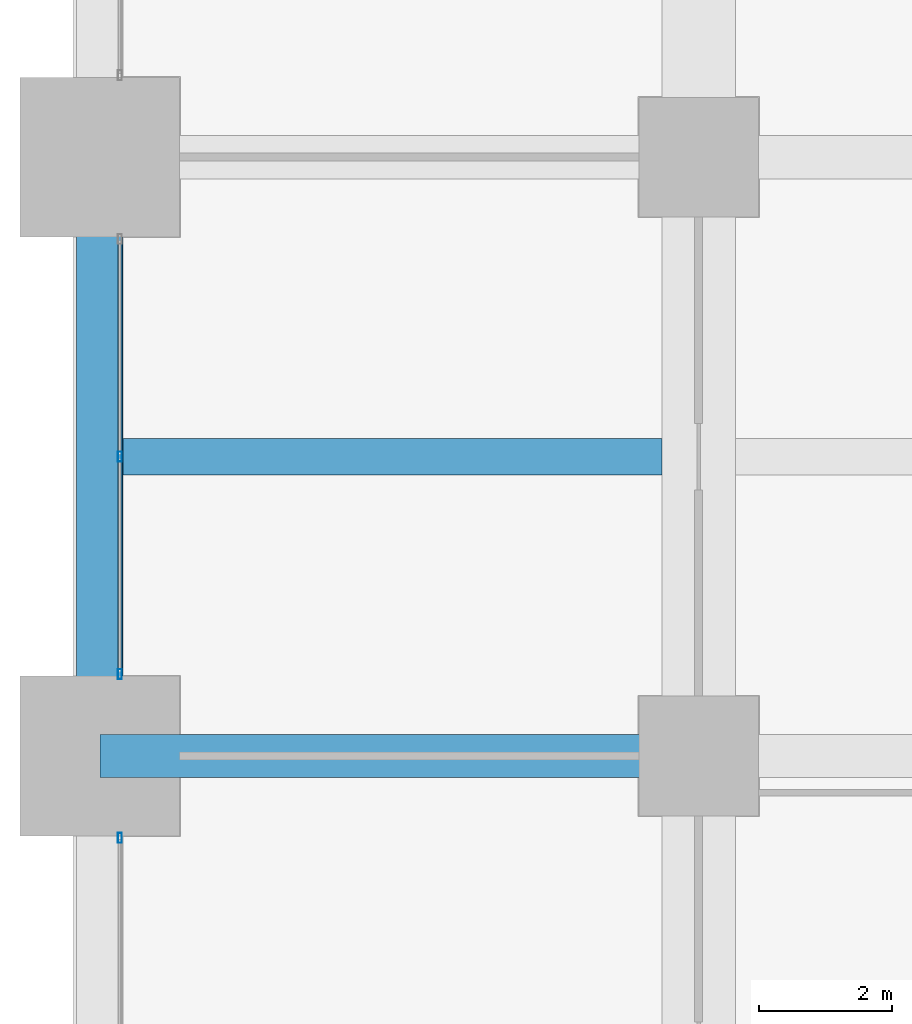
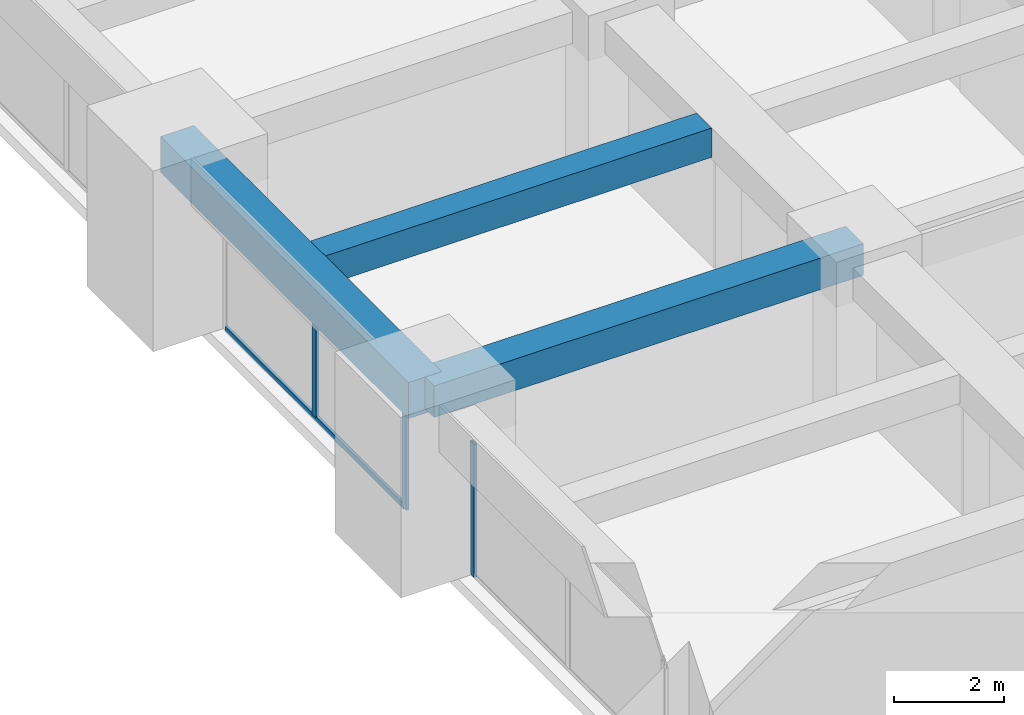
# One storey, part 9 of 40: 4 members, 3 beams, 2 elements without a shape of their own.
"""IFC4 building model written with IfcOpenShell, lengths in metres."""

import ifcopenshell
import ifcopenshell.guid

model = None  # the IFC model being written
_history = None  # IfcOwnerHistory: only IFC2X3 demands one
_inside = {}  # id of a spatial element -> (the spatial element, [elements in it])
_under = {}  # id of a project, library or spatial element -> (it, [spatial elements below it])
_declared = {}  # id of a project -> (the project, [libraries it declares])
_typed = {}  # id of a type object -> (the type object, [elements of that type])
_made_of = {}  # id of a material, layer set ... -> (it, [elements and type objects made of it])


def new_model(schema):
    """Start an empty IFC model of exactly this schema.

    Asked for "IFC4X3", IfcOpenShell would pick the latest addendum, in which some entities
    have other attributes; the version numbers below select the first issue.
    IFC2X3 requires an IfcOwnerHistory on every rooted entity: one is made here for all.
    """
    global model, _history
    if schema == "IFC4X3":
        model = ifcopenshell.file(schema_version=(4, 3, 0, 0))
    else:
        model = ifcopenshell.file(schema=schema)
    _inside.clear()
    _under.clear()
    _declared.clear()
    _typed.clear()
    _made_of.clear()
    _history = None
    if model.schema == "IFC2X3":
        org = make("IfcOrganization", Name="unknown")
        user = make(
            "IfcPersonAndOrganization",
            ThePerson=make("IfcPerson", FamilyName="unknown"),
            TheOrganization=org,
        )
        app = make(
            "IfcApplication",
            ApplicationDeveloper=org,
            Version="unknown",
            ApplicationFullName="unknown",
            ApplicationIdentifier="unknown",
        )
        _history = make(
            "IfcOwnerHistory",
            OwningUser=user,
            OwningApplication=app,
            ChangeAction="ADDED",
            CreationDate=0,
        )
    return model


def make(cls, **values):
    """One entity of the class cls with the attributes given. An attribute that is None is left unset."""
    return model.create_entity(
        cls, **{name: value for name, value in values.items() if value is not None}
    )


def rooted(cls, **values):
    """An entity with a GlobalId (a new one), such as an element, a storey or a relation."""
    return make(cls, GlobalId=ifcopenshell.guid.new(), OwnerHistory=_history, **values)


def si_unit(unit_type, name, prefix=None):
    """IfcSIUnit, for example si_unit("LENGTHUNIT", "METRE", prefix="MILLI")."""
    return make("IfcSIUnit", UnitType=unit_type, Prefix=prefix, Name=name)


def assignment(units):
    """IfcUnitAssignment: the units of a project."""
    return None if units is None else make("IfcUnitAssignment", Units=units)


def point(xyz):
    """IfcCartesianPoint."""
    return None if xyz is None else make("IfcCartesianPoint", Coordinates=xyz)


def direction(xyz):
    """IfcDirection."""
    return None if xyz is None else make("IfcDirection", DirectionRatios=xyz)


def frame(location, z_axis=None, x_axis=None):
    """IfcAxis2Placement3D, a coordinate frame: its origin and axes. An axis left out is left unset."""
    return make(
        "IfcAxis2Placement3D",
        Location=point(location),
        Axis=direction(z_axis),
        RefDirection=direction(x_axis),
    )


def frame_2d(location, x_axis=None):
    """IfcAxis2Placement2D, a coordinate frame in the plane: its origin and x axis."""
    return make(
        "IfcAxis2Placement2D", Location=point(location), RefDirection=direction(x_axis)
    )


def origin():
    """The frame at (0, 0, 0) with its axes left unset."""
    return frame((0.0, 0.0, 0.0))


def origin_2d():
    """The frame at (0, 0) in the plane with its x axis left unset."""
    return frame_2d((0.0, 0.0))


def place(relative_to, where):
    """IfcLocalPlacement: puts the frame where relative to a parent placement (None: the world)."""
    return make(
        "IfcLocalPlacement", PlacementRelTo=relative_to, RelativePlacement=where
    )


def context(
    kind, dimensions, precision=None, world=None, true_north=None, identifier=None
):
    """IfcGeometricRepresentationContext, for example the 3D "Model" context."""
    return make(
        "IfcGeometricRepresentationContext",
        ContextIdentifier=identifier,
        ContextType=kind,
        CoordinateSpaceDimension=dimensions,
        Precision=precision,
        WorldCoordinateSystem=world,
        TrueNorth=true_north,
    )


def subcontext(parent, identifier, kind, view, scale=None):
    """IfcGeometricRepresentationSubContext, for example "Body" below "Model"."""
    return make(
        "IfcGeometricRepresentationSubContext",
        ContextIdentifier=identifier,
        ContextType=kind,
        ParentContext=parent,
        TargetScale=scale,
        TargetView=view,
    )


def project(units=None, contexts=None):
    """IfcProject with its units and contexts."""
    return rooted(
        "IfcProject",
        Name="project",
        RepresentationContexts=contexts,
        UnitsInContext=assignment(units),
    )


def spatial(cls, under=None, at=None, **own):
    """A site, building, storey or space (cls), placed at a placement, below another one or the project."""
    s = rooted(cls, ObjectPlacement=at, **own)
    if under is not None:
        _under.setdefault(under.id(), (under, []))[1].append(s)
    return s


def profile(cls, at=None, kind="AREA", **sizes):
    """A parametric profile (cls). Its sizes go by their IFC names, for example OverallWidth=200.0."""
    return make(cls, ProfileType=kind, Position=at, **sizes)


def rectangle(**sizes):
    """IfcRectangleProfileDef."""
    return profile("IfcRectangleProfileDef", **sizes)


def hollow_rectangle(**sizes):
    """IfcRectangleHollowProfileDef."""
    return profile("IfcRectangleHollowProfileDef", **sizes)


def extrude(swept, where, along, depth):
    """IfcExtrudedAreaSolid: the profile swept, set in the frame where, extruded along a direction by depth."""
    return make(
        "IfcExtrudedAreaSolid",
        SweptArea=swept,
        Position=where,
        ExtrudedDirection=direction(along),
        Depth=depth,
    )


def shape(context_of_items, identifier, shape_type, items):
    """IfcShapeRepresentation: the items that make up one representation, for example the "Body"."""
    return make(
        "IfcShapeRepresentation",
        ContextOfItems=context_of_items,
        RepresentationIdentifier=identifier,
        RepresentationType=shape_type,
        Items=items,
    )


def material(Name=None, Category=None):
    """IfcMaterial."""
    return make("IfcMaterial", Name=Name, Category=Category)


def material_profile(
    of_material, cross_section, Name=None, Category=None, Priority=None
):
    """IfcMaterialProfile: a cross section and its material."""
    return make(
        "IfcMaterialProfile",
        Name=Name,
        Material=of_material,
        Profile=cross_section,
        Priority=Priority,
        Category=Category,
    )


def profile_set(profiles, Name=None, composite=None):
    """IfcMaterialProfileSet."""
    return make(
        "IfcMaterialProfileSet",
        Name=Name,
        MaterialProfiles=profiles,
        CompositeProfile=composite,
    )


def made_of(thing, what):
    """Note that an element or type object is made of a material, layer set ...; save() writes the relation."""
    if what is not None:
        _made_of.setdefault(what.id(), (what, []))[1].append(thing)
    return thing


def type_object(cls, material=None, **own):
    """A type object (cls), such as IfcWallType, which elements share."""
    return made_of(rooted(cls, **own), material)


def element(
    cls,
    number,
    at=None,
    inside=None,
    cuts=None,
    type_object=None,
    material=None,
    context=None,
    identifier="Body",
    shape_type=None,
    held_by="IfcProductDefinitionShape",
    body=None,
    shapes=None,
    **own,
):
    """One element of the class cls, such as IfcWall. Its Tag is "e" and its number.

    at: its placement. inside: the storey or other place that contains it. cuts: it is an
    opening in that element (IfcRelVoidsElement). A single representation is given by context,
    identifier, shape_type and body (its items); several are given by shapes. held_by: the class
    of the entity that holds the representations. save() writes the other relations.
    """
    e = rooted(cls, Tag="e%d" % number, ObjectPlacement=at, **own)
    if body is not None:
        shapes = [shape(context, identifier, shape_type, body)]
    if shapes is not None:
        e.Representation = make(held_by, Representations=shapes)
    if inside is not None:
        _inside.setdefault(inside.id(), (inside, []))[1].append(e)
    if cuts is not None:
        rooted(
            "IfcRelVoidsElement", RelatingBuildingElement=cuts, RelatedOpeningElement=e
        )
    if type_object is not None:
        _typed.setdefault(type_object.id(), (type_object, []))[1].append(e)
    return made_of(e, material)


def aggregate(whole, parts):
    """IfcRelAggregates: a whole, such as a stair, and the parts it consists of."""
    return rooted("IfcRelAggregates", RelatingObject=whole, RelatedObjects=parts)


def save(model, path):
    """Write the relations noted so far, then the file.

    IfcRelAggregates (storeys below a building ...), IfcRelContainedInSpatialStructure (elements
    in a storey), IfcRelDefinesByType, IfcRelAssociatesMaterial and IfcRelDeclares: one each for
    every whole, place, type object, material and project.
    """
    for whole, parts in _under.values():
        aggregate(whole, parts)
    for where, things in _inside.values():
        rooted(
            "IfcRelContainedInSpatialStructure",
            RelatedElements=things,
            RelatingStructure=where,
        )
    for kind, things in _typed.values():
        rooted("IfcRelDefinesByType", RelatedObjects=things, RelatingType=kind)
    for what, things in _made_of.values():
        rooted("IfcRelAssociatesMaterial", RelatedObjects=things, RelatingMaterial=what)
    for by, libraries in _declared.values():
        rooted("IfcRelDeclares", RelatingContext=by, RelatedDefinitions=libraries)
    model.write(path)


model = new_model("IFC4")

# Units and contexts
model_context = context("Model", 3, precision=1e-05, world=origin(), true_north=direction((0.0, 1.0)))
body_context = subcontext(model_context, "Body", "Model", "MODEL_VIEW")
ifc_project = project(units=[si_unit("LENGTHUNIT", "METRE"), si_unit("AREAUNIT", "SQUARE_METRE"), si_unit("VOLUMEUNIT", "CUBIC_METRE"), si_unit("PLANEANGLEUNIT", "RADIAN"), si_unit("MASSUNIT", "GRAM", prefix="KILO")], contexts=[model_context])

# Site, building, storey
site_placement = place(None, origin())
site = spatial("IfcSite", under=ifc_project, at=site_placement, CompositionType="ELEMENT")
building_placement = place(site_placement, origin())
building = spatial("IfcBuilding", under=site, at=building_placement, Name="Zorevar Civic Tower", CompositionType="ELEMENT")
storey_placement = place(building_placement, frame((0.0, 0.0, 133.0)))
storey = spatial("IfcBuildingStorey", under=building, at=storey_placement, Name="L32", CompositionType="ELEMENT", Elevation=133.0)

# Beams
ifc_material_1 = material(Name="Concrete C50/60", Category="concrete")
ifc_material_profile_1 = material_profile(ifc_material_1, rectangle(XDim=0.550048828125, YDim=0.64990234375, at=origin_2d()), Name="RC 550x650")
ifc_profile_set_1 = profile_set([ifc_material_profile_1], Name="Concrete C50/60")
beam_type_1 = type_object("IfcBeamType", Name="Beam RC 550x650", PredefinedType="BEAM", material=ifc_profile_set_1)
beam_1_placement = place(storey_placement, frame((0.35009765625, 22.5, 3.425048828125), z_axis=(1.0, 0.0, 0.0), x_axis=(0.0, 1.0, 0.0)))
element("IfcBeam", 1, at=beam_1_placement, inside=storey, type_object=beam_type_1, Name="Secondary beam L33", PredefinedType="BEAM", context=body_context, shape_type="SweptSolid", body=[
    extrude(rectangle(XDim=0.550048828125, YDim=0.64990234375, at=origin_2d()), origin(), (0.0, 0.0, 1.0), 8.099853515625),
])
ifc_material_2 = material(Name="Concrete C50/60", Category="concrete")
ifc_material_profile_2 = material_profile(ifc_material_2, rectangle(XDim=0.64990234375, YDim=0.699951171875, at=origin_2d()), Name="RC 650x700")
ifc_profile_set_2 = profile_set([ifc_material_profile_2], Name="Concrete C50/60")
beam_type_2 = type_object("IfcBeamType", Name="Beam RC 650x700", PredefinedType="BEAM", material=ifc_profile_set_2)
beam_2_placement = place(storey_placement, frame((0.0, 18.0, 3.39990234375), z_axis=(1.0, 0.0, 0.0), x_axis=(0.0, 1.0, 0.0)))
element("IfcBeam", 2, at=beam_2_placement, inside=storey, type_object=beam_type_2, Name="Girder L33", PredefinedType="BEAM", context=body_context, shape_type="SweptSolid", body=[
    extrude(rectangle(XDim=0.64990234375, YDim=0.699951171875, at=origin_2d()), origin(), (0.0, 0.0, 1.0), 9.0),
])

# Curtain wall, member
ifc_material_3 = material(Name="Dark grey solar-control glass in black aluminium frame", Category="aluminium")
curtain_wall_type = type_object("IfcCurtainWallType", Name="Curtain wall CW3 mid zone", PredefinedType="NOTDEFINED", material=ifc_material_3)
curtain_wall_1_placement = place(storey_placement, origin())
curtain_wall_1 = element("IfcCurtainWall", 3, at=curtain_wall_1_placement, inside=storey, type_object=curtain_wall_type, Name="CW3 L32", PredefinedType="NOTDEFINED")
ifc_material_4 = material(Name="Aluminium, black anodised", Category="aluminium")
ifc_material_profile_3 = material_profile(ifc_material_4, hollow_rectangle(XDim=0.06005859375, YDim=0.14990234375, WallThickness=0.00390625, at=origin_2d()), Name="AL 150x60x4")
ifc_profile_set_3 = profile_set([ifc_material_profile_3], Name="Aluminium, black anodised")
member_type_1 = type_object("IfcMemberType", Name="CW3 mullion AL 150x60x4", PredefinedType="MULLION", material=ifc_profile_set_3)
member_1_placement = place(storey_placement, frame((0.300048828125, 16.77001953125, 0.0), z_axis=(0.0, 0.0, 1.0), x_axis=(-1.0, 0.0, 0.0)))
member_1 = element("IfcMember", 4, at=member_1_placement, type_object=member_type_1, Name="CW3 mullion 3", PredefinedType="MULLION", context=body_context, shape_type="SweptSolid", body=[
    extrude(hollow_rectangle(XDim=0.06005859375, YDim=0.14990234375, WallThickness=0.00390625, at=origin_2d()), origin(), (0.0, 0.0, 1.0), 2.949951171875),
])
aggregate(curtain_wall_1, [member_1])

# Curtain wall, members
curtain_wall_2_placement = place(storey_placement, origin())
curtain_wall_2 = element("IfcCurtainWall", 5, at=curtain_wall_2_placement, inside=storey, type_object=curtain_wall_type, Name="CW3 L32", PredefinedType="NOTDEFINED")
member_2_placement = place(storey_placement, frame((0.300048828125, 19.22998046875, 0.0), z_axis=(0.0, 0.0, 1.0), x_axis=(-1.0, 0.0, 0.0)))
member_2 = element("IfcMember", 6, at=member_2_placement, type_object=member_type_1, Name="CW3 mullion 1", PredefinedType="MULLION", context=body_context, shape_type="SweptSolid", body=[
    extrude(hollow_rectangle(XDim=0.06005859375, YDim=0.14990234375, WallThickness=0.00390625, at=origin_2d()), origin(), (0.0, 0.0, 1.0), 2.949951171875),
])
member_3_placement = place(storey_placement, frame((0.300048828125, 22.5, 0.06005859375), z_axis=(0.0, 0.0, 1.0), x_axis=(-1.0, 0.0, 0.0)))
member_3 = element("IfcMember", 7, at=member_3_placement, type_object=member_type_1, Name="CW3 mullion 2", PredefinedType="MULLION", context=body_context, shape_type="SweptSolid", body=[
    extrude(hollow_rectangle(XDim=0.06005859375, YDim=0.14990234375, WallThickness=0.00390625, at=origin_2d()), origin(), (0.0, 0.0, 1.0), 2.889892578125),
])
ifc_material_5 = material(Name="Aluminium, black anodised", Category="aluminium")
ifc_material_profile_4 = material_profile(ifc_material_5, hollow_rectangle(XDim=0.06005859375, YDim=0.1201171875, WallThickness=0.0029296875, at=origin_2d()), Name="AL 120x60x3")
ifc_profile_set_4 = profile_set([ifc_material_profile_4], Name="Aluminium, black anodised")
member_type_2 = type_object("IfcMemberType", Name="CW3 transom AL 120x60x3", PredefinedType="USERDEFINED", material=ifc_profile_set_4)
member_4_placement = place(storey_placement, frame((0.300048828125, 19.260009765625, 0.030029296875), z_axis=(0.0, 1.0, 0.0), x_axis=(-1.0, 0.0, 0.0)))
member_4 = element("IfcMember", 8, at=member_4_placement, type_object=member_type_2, Name="CW3 sill transom", ObjectType="TRANSOM", PredefinedType="USERDEFINED", context=body_context, shape_type="SweptSolid", body=[
    extrude(hollow_rectangle(XDim=0.06005859375, YDim=0.1201171875, WallThickness=0.0029296875, at=origin_2d()), origin(), (0.0, 0.0, 1.0), 6.47998046875),
])
aggregate(curtain_wall_2, [member_2, member_3, member_4])

# Beam
ifc_material_6 = material(Name="Concrete C50/60", Category="concrete")
ifc_material_profile_5 = material_profile(ifc_material_6, rectangle(XDim=0.699951171875, YDim=0.800048828125, at=origin_2d()), Name="RC 700x800")
ifc_profile_set_5 = profile_set([ifc_material_profile_5], Name="Concrete C50/60")
beam_type_3 = type_object("IfcBeamType", Name="Edge beam RC 700x800", PredefinedType="SPANDREL", material=ifc_profile_set_5)
beam_3_placement = place(storey_placement, frame((0.0, 18.0, 3.35009765625), z_axis=(0.0, 1.0, 0.0), x_axis=(-1.0, 0.0, 0.0)))
element("IfcBeam", 9, at=beam_3_placement, inside=storey, type_object=beam_type_3, Name="Edge beam L33", PredefinedType="SPANDREL", context=body_context, shape_type="SweptSolid", body=[
    extrude(rectangle(XDim=0.699951171875, YDim=0.800048828125, at=origin_2d()), origin(), (0.0, 0.0, 1.0), 9.0),
])

save(model, "model.ifc")
